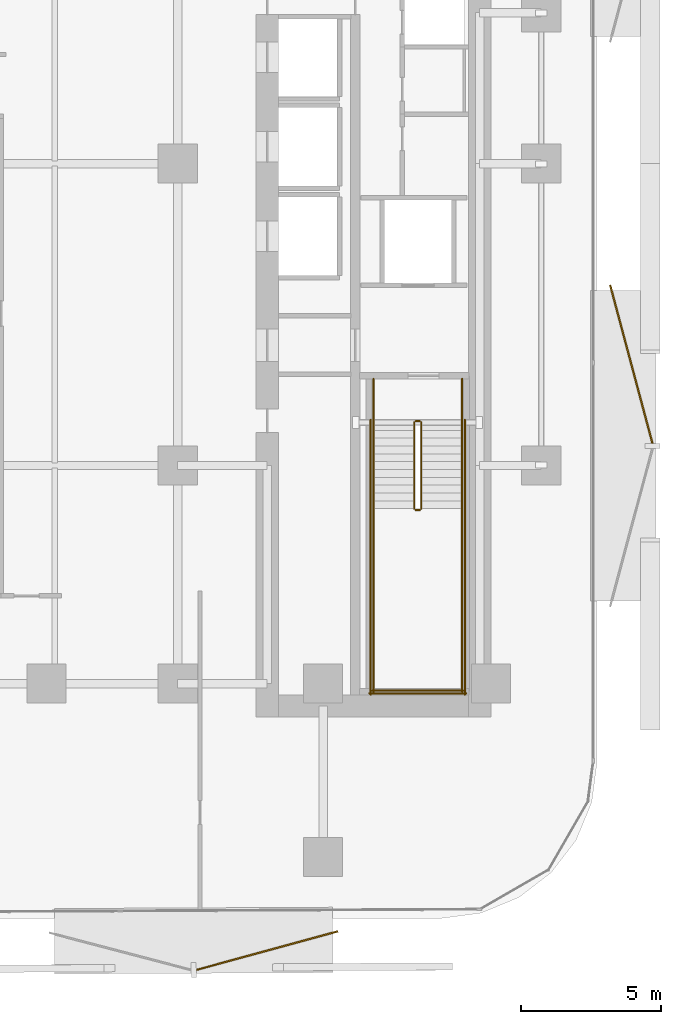
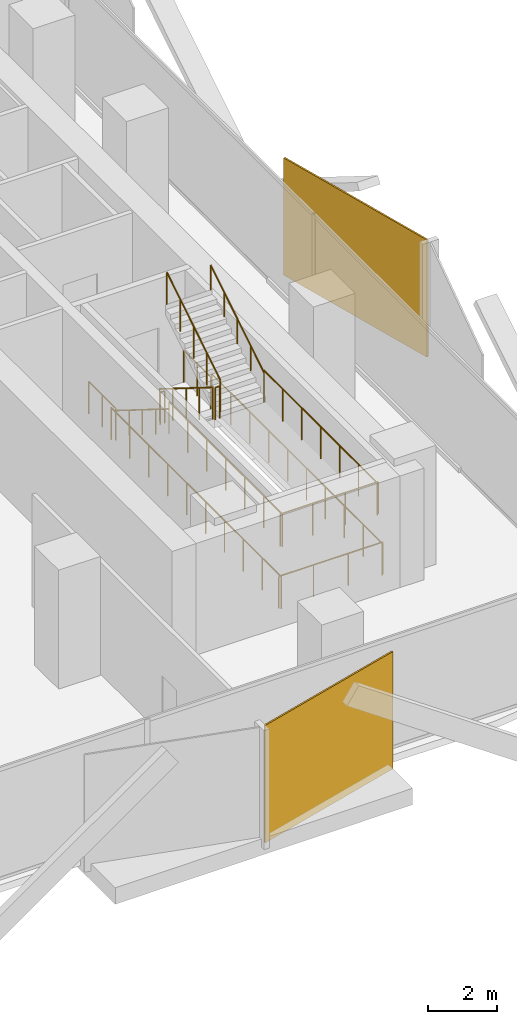
# One storey, part 13 of 15: 14 railings, 2 coverings.
"""IFC4 building model written with IfcOpenShell, lengths in metres."""

from ifc_helpers import new_model, si_unit, direction, frame, origin, origin_2d, place, context, subcontext, project, spatial, rectangle, circle, extrude, material, layer, layer_set, type_object, element, save


model = new_model("IFC4")

# Units and contexts
model_context = context("Model", 3, precision=1e-05, world=origin(), true_north=direction((0.0, 1.0)))
body_context = subcontext(model_context, "Body", "Model", "MODEL_VIEW")
ifc_project = project(units=[si_unit("LENGTHUNIT", "METRE"), si_unit("AREAUNIT", "SQUARE_METRE"), si_unit("VOLUMEUNIT", "CUBIC_METRE"), si_unit("PLANEANGLEUNIT", "RADIAN"), si_unit("MASSUNIT", "GRAM", prefix="KILO")], contexts=[model_context])

# Site, building, storey
site_placement = place(None, origin())
site = spatial("IfcSite", under=ifc_project, at=site_placement, CompositionType="ELEMENT")
building_placement = place(site_placement, origin())
building = spatial("IfcBuilding", under=site, at=building_placement, Name="Khairoan Windgate Tower", CompositionType="ELEMENT")
storey_placement = place(building_placement, frame((0.0, 0.0, 38.60009765625)))
storey = spatial("IfcBuildingStorey", under=building, at=storey_placement, Name="L09", CompositionType="ELEMENT", Elevation=38.60009765625)

# Coverings
ifc_material_1 = material(Name="Anodised Bronze Aluminium 6063-T6", Category="aluminium")
ifc_layer = layer(ifc_material_1, 0.054931640625, Name="Anodised Bronze Aluminium 6063-T6")
ifc_layer_set = layer_set([ifc_layer], Name="Anodised Bronze Aluminium 6063-T6")
covering_type = type_object("IfcCoveringType", Name="Perforated Bronze-Ceramic Folded Solar Screen Cladding BSC-1", PredefinedType="CLADDING", material=ifc_layer_set)
covering_1_placement = place(storey_placement, frame((12.39453125, -28.150390625, -0.10009765625), z_axis=(0.0, 0.0, 1.0), x_axis=(-0.964649468762, -0.263536339841, 0.0)))
element("IfcCovering", 1, at=covering_1_placement, inside=storey, type_object=covering_type, Name="L09 Folded Bronze Solar Screen Facet 25L", PredefinedType="CLADDING", context=body_context, shape_type="SweptSolid", body=[
    extrude(rectangle(XDim=5.25, YDim=0.054931640625, at=origin_2d()), origin(), (0.0, 0.0, 1.0), 4.139892578125),
])
covering_2_placement = place(storey_placement, frame((25.42236328125, -7.177734375, -0.10009765625), z_axis=(0.0, 0.0, 1.0), x_axis=(0.258819045103, -0.965925826289, 0.0)))
element("IfcCovering", 2, at=covering_2_placement, inside=storey, type_object=covering_type, Name="L09 Folded Bronze Solar Screen Facet 32L", PredefinedType="CLADDING", context=body_context, shape_type="SweptSolid", body=[
    extrude(rectangle(XDim=5.85498046875, YDim=0.054931640625, at=origin_2d()), origin(), (0.0, 0.0, 1.0), 4.139892578125),
])

# Railings
ifc_material_2 = material(Name="Anodised Bronze Aluminium 6063-T6", Category="aluminium")
railing_type_1 = type_object("IfcRailingType", Name="Stair Wall Handrail SHR-900", PredefinedType="HANDRAIL", material=ifc_material_2)
railing_1_placement = place(storey_placement, frame((16.199951171875, -9.260009765625, 0.1748046875)))
element("IfcRailing", 3, at=railing_1_placement, inside=storey, type_object=railing_type_1, Name="L09 ST1 stair handrail 1", PredefinedType="HANDRAIL", context=body_context, shape_type="SweptSolid", body=[
    extrude(circle(Radius=0.02392578125, at=origin_2d()), frame((0.0, 0.0, 0.8759765625), z_axis=(0.0, -0.847998304005, 0.529998940003), x_axis=(1.0, 0.0, 0.0)), (0.0, 0.0, 1.0), 3.632080078125),
    extrude(circle(Radius=0.02099609375, at=origin_2d()), origin(), (0.0, 0.0, 1.0), 0.851806640625),
    extrude(circle(Radius=0.02099609375, at=origin_2d()), frame((0.0, -0.77001953125, 0.481201171875)), (0.0, 0.0, 1.0), 0.851806640625),
    extrude(circle(Radius=0.02099609375, at=origin_2d()), frame((0.0, -1.5400390625, 0.96240234375)), (0.0, 0.0, 1.0), 0.851806640625),
    extrude(circle(Radius=0.02099609375, at=origin_2d()), frame((0.0, -2.31005859375, 1.44384765625)), (0.0, 0.0, 1.0), 0.851806640625),
    extrude(circle(Radius=0.02099609375, at=origin_2d()), frame((0.0, -3.080078125, 1.925048828125)), (0.0, 0.0, 1.0), 0.851806640625),
])
railing_2_placement = place(storey_placement, frame((19.3701171875, -12.340087890625, 2.27490234375)))
element("IfcRailing", 4, at=railing_2_placement, inside=storey, type_object=railing_type_1, Name="L09 ST1 stair handrail 2", PredefinedType="HANDRAIL", context=body_context, shape_type="SweptSolid", body=[
    extrude(circle(Radius=0.02392578125, at=origin_2d()), frame((0.0, 0.0, 0.8759765625), z_axis=(0.0, 0.847998304005, 0.529998940003), x_axis=(-1.0, 0.0, 0.0)), (0.0, 0.0, 1.0), 3.632080078125),
    extrude(circle(Radius=0.02099609375, at=origin_2d()), origin(), (0.0, 0.0, 1.0), 0.851806640625),
    extrude(circle(Radius=0.02099609375, at=origin_2d()), frame((0.0, 0.77001953125, 0.481201171875)), (0.0, 0.0, 1.0), 0.851806640625),
    extrude(circle(Radius=0.02099609375, at=origin_2d()), frame((0.0, 1.5400390625, 0.96240234375)), (0.0, 0.0, 1.0), 0.851806640625),
    extrude(circle(Radius=0.02099609375, at=origin_2d()), frame((0.0, 2.31005859375, 1.44384765625)), (0.0, 0.0, 1.0), 0.851806640625),
    extrude(circle(Radius=0.02099609375, at=origin_2d()), frame((0.0, 3.080078125, 1.925048828125)), (0.0, 0.0, 1.0), 0.851806640625),
])
ifc_material_3 = material(Name="Steel S355", Category="steel")
railing_type_2 = type_object("IfcRailingType", Name="Stairwell Safety Guardrail SGR-1150", PredefinedType="GUARDRAIL", material=ifc_material_3)
railing_3_placement = place(storey_placement, frame((17.659912109375, -9.260009765625, 0.1748046875)))
element("IfcRailing", 5, at=railing_3_placement, inside=storey, type_object=railing_type_2, Name="L09 ST1 stair guard 1", PredefinedType="GUARDRAIL", context=body_context, shape_type="SweptSolid", body=[
    extrude(circle(Radius=0.02392578125, at=origin_2d()), frame((0.0, 0.0, 1.1259765625), z_axis=(0.0, -0.847998304005, 0.529998940003), x_axis=(1.0, 0.0, 0.0)), (0.0, 0.0, 1.0), 3.632080078125),
    extrude(circle(Radius=0.02099609375, at=origin_2d()), origin(), (0.0, 0.0, 1.0), 1.101806640625),
    extrude(circle(Radius=0.02099609375, at=origin_2d()), frame((0.0, -0.77001953125, 0.481201171875)), (0.0, 0.0, 1.0), 1.101806640625),
    extrude(circle(Radius=0.02099609375, at=origin_2d()), frame((0.0, -1.5400390625, 0.96240234375)), (0.0, 0.0, 1.0), 1.101806640625),
    extrude(circle(Radius=0.02099609375, at=origin_2d()), frame((0.0, -2.31005859375, 1.44384765625)), (0.0, 0.0, 1.0), 1.101806640625),
    extrude(circle(Radius=0.02099609375, at=origin_2d()), frame((0.0, -3.080078125, 1.925048828125)), (0.0, 0.0, 1.0), 1.101806640625),
])
railing_4_placement = place(storey_placement, frame((17.7099609375, -12.389892578125, 2.099853515625)))
element("IfcRailing", 6, at=railing_4_placement, inside=storey, type_object=railing_type_2, Name="L09 ST1 stair guard 2", PredefinedType="GUARDRAIL", context=body_context, shape_type="SweptSolid", body=[
    extrude(circle(Radius=0.02392578125, at=origin_2d()), frame((0.0, 0.0, 1.1259765625), z_axis=(1.0, 0.0, 0.0), x_axis=(0.0, 1.0, 0.0)), (0.0, 0.0, 1.0), 0.150146484375),
    extrude(circle(Radius=0.02099609375, at=origin_2d()), origin(), (0.0, 0.0, 1.0), 1.101806640625),
    extrude(circle(Radius=0.02099609375, at=origin_2d()), frame((0.150146484375, 0.0, 0.0)), (0.0, 0.0, 1.0), 1.101806640625),
])
for number, where, name in (
    (7, (16.199951171875, -12.340087890625, 2.099853515625), "L09 ST1 stair guard 3"),
    (8, (19.3701171875, -12.340087890625, 2.099853515625), "L09 ST1 stair guard 4"),
):
    element("IfcRailing", number, at=place(storey_placement, frame(where)), inside=storey, type_object=railing_type_2, Name=name, PredefinedType="GUARDRAIL", context=body_context, shape_type="SweptSolid", body=[
        extrude(circle(Radius=0.02392578125, at=origin_2d()), frame((0.0, 0.0, 1.1259765625), z_axis=(0.0, -1.0, 0.0), x_axis=(1.0, 0.0, 0.0)), (0.0, 0.0, 1.0), 6.559814453125),
        extrude(circle(Radius=0.02099609375, at=origin_2d()), origin(), (0.0, 0.0, 1.0), 1.101806640625),
        extrude(circle(Radius=0.02099609375, at=origin_2d()), frame((0.0, -1.09326171875, 0.0)), (0.0, 0.0, 1.0), 1.101806640625),
        extrude(circle(Radius=0.02099609375, at=origin_2d()), frame((0.0, -2.1865234375, 0.0)), (0.0, 0.0, 1.0), 1.101806640625),
        extrude(circle(Radius=0.02099609375, at=origin_2d()), frame((0.0, -3.27978515625, 0.0)), (0.0, 0.0, 1.0), 1.101806640625),
        extrude(circle(Radius=0.02099609375, at=origin_2d()), frame((0.0, -4.373291015625, 0.0)), (0.0, 0.0, 1.0), 1.101806640625),
        extrude(circle(Radius=0.02099609375, at=origin_2d()), frame((0.0, -5.466552734375, 0.0)), (0.0, 0.0, 1.0), 1.101806640625),
        extrude(circle(Radius=0.02099609375, at=origin_2d()), frame((0.0, -6.559814453125, 0.0)), (0.0, 0.0, 1.0), 1.101806640625),
    ])
railing_5_placement = place(storey_placement, frame((16.14990234375, -18.85009765625, 2.099853515625)))
element("IfcRailing", 9, at=railing_5_placement, inside=storey, type_object=railing_type_2, Name="L09 ST1 stair guard 5", PredefinedType="GUARDRAIL", context=body_context, shape_type="SweptSolid", body=[
    extrude(circle(Radius=0.02392578125, at=origin_2d()), frame((0.0, 0.0, 1.1259765625), z_axis=(1.0, 0.0, 0.0), x_axis=(0.0, 1.0, 0.0)), (0.0, 0.0, 1.0), 3.27001953125),
    extrude(circle(Radius=0.02099609375, at=origin_2d()), origin(), (0.0, 0.0, 1.0), 1.101806640625),
    extrude(circle(Radius=0.02099609375, at=origin_2d()), frame((1.090087890625, 0.0, 0.0)), (0.0, 0.0, 1.0), 1.101806640625),
    extrude(circle(Radius=0.02099609375, at=origin_2d()), frame((2.179931640625, 0.0, 0.0)), (0.0, 0.0, 1.0), 1.101806640625),
    extrude(circle(Radius=0.02099609375, at=origin_2d()), frame((3.27001953125, 0.0, 0.0)), (0.0, 0.0, 1.0), 1.101806640625),
])
railing_6_placement = place(storey_placement, frame((17.909912109375, -12.340087890625, 2.27490234375)))
element("IfcRailing", 10, at=railing_6_placement, inside=storey, type_object=railing_type_2, Name="L09 ST1 stair guard 6", PredefinedType="GUARDRAIL", context=body_context, shape_type="SweptSolid", body=[
    extrude(circle(Radius=0.02392578125, at=origin_2d()), frame((0.0, 0.0, 1.1259765625), z_axis=(0.0, 0.847998304005, 0.529998940003), x_axis=(-1.0, 0.0, 0.0)), (0.0, 0.0, 1.0), 3.632080078125),
    extrude(circle(Radius=0.02099609375, at=origin_2d()), origin(), (0.0, 0.0, 1.0), 1.101806640625),
    extrude(circle(Radius=0.02099609375, at=origin_2d()), frame((0.0, 0.77001953125, 0.481201171875)), (0.0, 0.0, 1.0), 1.101806640625),
    extrude(circle(Radius=0.02099609375, at=origin_2d()), frame((0.0, 1.5400390625, 0.96240234375)), (0.0, 0.0, 1.0), 1.101806640625),
    extrude(circle(Radius=0.02099609375, at=origin_2d()), frame((0.0, 2.31005859375, 1.44384765625)), (0.0, 0.0, 1.0), 1.101806640625),
    extrude(circle(Radius=0.02099609375, at=origin_2d()), frame((0.0, 3.080078125, 1.925048828125)), (0.0, 0.0, 1.0), 1.101806640625),
])
railing_7_placement = place(storey_placement, frame((17.7099609375, -9.2099609375, 0.0)))
element("IfcRailing", 11, at=railing_7_placement, inside=storey, type_object=railing_type_2, Name="L09 ST1 stair guard 7", PredefinedType="GUARDRAIL", context=body_context, shape_type="SweptSolid", body=[
    extrude(circle(Radius=0.02392578125, at=origin_2d()), frame((0.0, 0.0, 1.1259765625), z_axis=(1.0, 0.0, 0.0), x_axis=(0.0, 1.0, 0.0)), (0.0, 0.0, 1.0), 0.150146484375),
    extrude(circle(Radius=0.02099609375, at=origin_2d()), origin(), (0.0, 0.0, 1.0), 1.101806640625),
    extrude(circle(Radius=0.02099609375, at=origin_2d()), frame((0.150146484375, 0.0, 0.0)), (0.0, 0.0, 1.0), 1.101806640625),
])
for number, where, name in (
    (12, (16.199951171875, -7.699951171875, 0.0), "L09 ST1 stair guard 8"),
    (13, (19.3701171875, -7.699951171875, 0.0), "L09 ST1 stair guard 9"),
):
    element("IfcRailing", number, at=place(storey_placement, frame(where)), inside=storey, type_object=railing_type_2, Name=name, PredefinedType="GUARDRAIL", context=body_context, shape_type="SweptSolid", body=[
        extrude(circle(Radius=0.02392578125, at=origin_2d()), frame((0.0, 0.0, 1.1259765625), z_axis=(0.0, -1.0, 0.0), x_axis=(1.0, 0.0, 0.0)), (0.0, 0.0, 1.0), 1.56005859375),
        extrude(circle(Radius=0.02099609375, at=origin_2d()), origin(), (0.0, 0.0, 1.0), 1.101806640625),
        extrude(circle(Radius=0.02099609375, at=origin_2d()), frame((0.0, -0.780029296875, 0.0)), (0.0, 0.0, 1.0), 1.101806640625),
        extrude(circle(Radius=0.02099609375, at=origin_2d()), frame((0.0, -1.56005859375, 0.0)), (0.0, 0.0, 1.0), 1.101806640625),
    ])
for number, where, name in (
    (14, (16.10009765625, -9.159912109375, 0.0), "L09 ST1 stair guard 10"),
    (15, (19.469970703125, -9.159912109375, 0.0), "L09 ST1 stair guard 11"),
):
    element("IfcRailing", number, at=place(storey_placement, frame(where)), inside=storey, type_object=railing_type_2, Name=name, PredefinedType="GUARDRAIL", context=body_context, shape_type="SweptSolid", body=[
        extrude(circle(Radius=0.02392578125, at=origin_2d()), frame((0.0, 0.0, 1.1259765625), z_axis=(0.0, -1.0, 0.0), x_axis=(1.0, 0.0, 0.0)), (0.0, 0.0, 1.0), 9.840087890625),
        extrude(circle(Radius=0.02099609375, at=origin_2d()), origin(), (0.0, 0.0, 1.0), 1.101806640625),
        extrude(circle(Radius=0.02099609375, at=origin_2d()), frame((0.0, -1.09326171875, 0.0)), (0.0, 0.0, 1.0), 1.101806640625),
        extrude(circle(Radius=0.02099609375, at=origin_2d()), frame((0.0, -2.186767578125, 0.0)), (0.0, 0.0, 1.0), 1.101806640625),
        extrude(circle(Radius=0.02099609375, at=origin_2d()), frame((0.0, -3.280029296875, 0.0)), (0.0, 0.0, 1.0), 1.101806640625),
        extrude(circle(Radius=0.02099609375, at=origin_2d()), frame((0.0, -4.373291015625, 0.0)), (0.0, 0.0, 1.0), 1.101806640625),
        extrude(circle(Radius=0.02099609375, at=origin_2d()), frame((0.0, -5.466796875, 0.0)), (0.0, 0.0, 1.0), 1.101806640625),
        extrude(circle(Radius=0.02099609375, at=origin_2d()), frame((0.0, -6.56005859375, 0.0)), (0.0, 0.0, 1.0), 1.101806640625),
        extrude(circle(Radius=0.02099609375, at=origin_2d()), frame((0.0, -7.6533203125, 0.0)), (0.0, 0.0, 1.0), 1.101806640625),
        extrude(circle(Radius=0.02099609375, at=origin_2d()), frame((0.0, -8.746826171875, 0.0)), (0.0, 0.0, 1.0), 1.101806640625),
        extrude(circle(Radius=0.02099609375, at=origin_2d()), frame((0.0, -9.840087890625, 0.0)), (0.0, 0.0, 1.0), 1.101806640625),
    ])
railing_8_placement = place(storey_placement, frame((16.050048828125, -18.949951171875, 0.0)))
element("IfcRailing", 16, at=railing_8_placement, inside=storey, type_object=railing_type_2, Name="L09 ST1 stair guard 12", PredefinedType="GUARDRAIL", context=body_context, shape_type="SweptSolid", body=[
    extrude(circle(Radius=0.02392578125, at=origin_2d()), frame((0.0, 0.0, 1.1259765625), z_axis=(1.0, 0.0, 0.0), x_axis=(0.0, 1.0, 0.0)), (0.0, 0.0, 1.0), 3.469970703125),
    extrude(circle(Radius=0.02099609375, at=origin_2d()), origin(), (0.0, 0.0, 1.0), 1.101806640625),
    extrude(circle(Radius=0.02099609375, at=origin_2d()), frame((1.15673828125, 0.0, 0.0)), (0.0, 0.0, 1.0), 1.101806640625),
    extrude(circle(Radius=0.02099609375, at=origin_2d()), frame((2.313232421875, 0.0, 0.0)), (0.0, 0.0, 1.0), 1.101806640625),
    extrude(circle(Radius=0.02099609375, at=origin_2d()), frame((3.469970703125, 0.0, 0.0)), (0.0, 0.0, 1.0), 1.101806640625),
])

save(model, "model.ifc")
